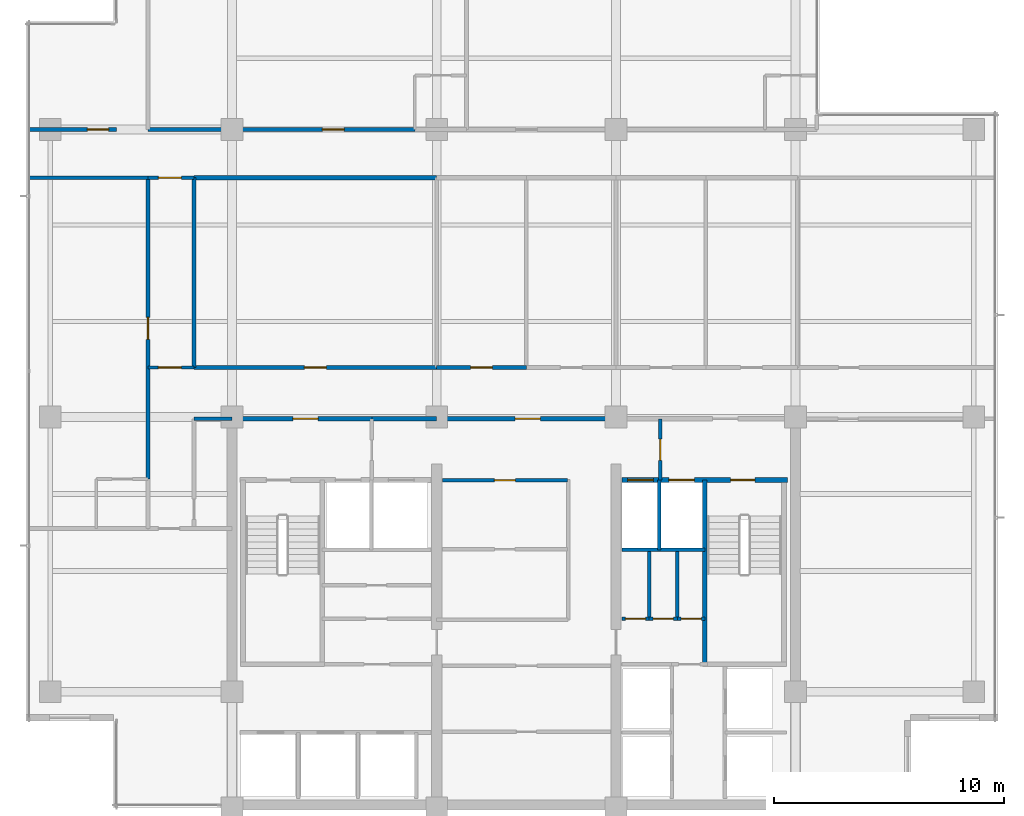
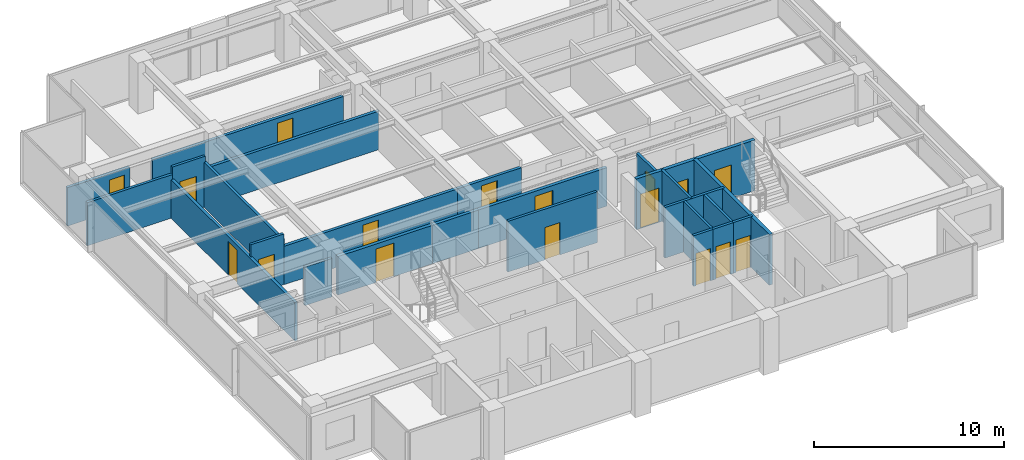
# One storey, part 8 of 14: 25 walls, 17 doors, 17 openings.
"""IFC4 building model written with IfcOpenShell, lengths in metres."""

from ifc_helpers import new_model, si_unit, direction, frame, frame_2d, origin, place, context, subcontext, project, spatial, rectangle, extrude, material, layer, layer_set, type_object, element, fill, save


model = new_model("IFC4")

# Units and contexts
model_context = context("Model", 3, precision=1e-05, world=origin(), true_north=direction((0.0, 1.0)))
body_context = subcontext(model_context, "Body", "Model", "MODEL_VIEW")
ifc_project = project(units=[si_unit("LENGTHUNIT", "METRE"), si_unit("AREAUNIT", "SQUARE_METRE"), si_unit("VOLUMEUNIT", "CUBIC_METRE"), si_unit("PLANEANGLEUNIT", "RADIAN"), si_unit("MASSUNIT", "GRAM", prefix="KILO")], contexts=[model_context])

# Site, building, storey
site_placement = place(None, origin())
site = spatial("IfcSite", under=ifc_project, at=site_placement, CompositionType="ELEMENT")
building_placement = place(site_placement, origin())
building = spatial("IfcBuilding", under=site, at=building_placement, Name="Qalmaran Belvedere Hotel", CompositionType="ELEMENT")
storey_placement = place(building_placement, frame((0.0, 0.0, 217.89990234375)))
storey = spatial("IfcBuildingStorey", under=building, at=storey_placement, Name="L55", CompositionType="ELEMENT", Elevation=217.89990234375)

# Walls
ifc_material_1 = material(Name="Gypsum Stud Partition")
ifc_layer_1 = layer(ifc_material_1, 0.14990234375, Name="Gypsum Stud Partition")
ifc_layer_set_1 = layer_set([ifc_layer_1], Name="Gypsum Stud Partition")
wall_type_1 = type_object("IfcWallType", Name="WL-INT-150-EI120", PredefinedType="PARTITIONING", material=ifc_layer_set_1)
wall_1_placement = place(storey_placement, frame((38.8798828125, 14.719970703125, 0.0), z_axis=(0.0, 0.0, 1.0), x_axis=(0.0, 1.0, 0.0)))
element("IfcWall", 1, at=wall_1_placement, inside=storey, type_object=wall_type_1, Name="L55 Partition WL-FF2M-L55", PredefinedType="PARTITIONING", context=body_context, shape_type="SweptSolid", body=[
    extrude(rectangle(XDim=3.0400390625, YDim=0.14990234375, at=frame_2d((1.52001953125, 0.0))), origin(), (0.0, 0.0, 1.0), 3.260009765625),
])
ifc_layer_2 = layer(ifc_material_1, 0.14990234375, Name="Gypsum Stud Partition")
ifc_layer_set_2 = layer_set([ifc_layer_2], Name="Gypsum Stud Partition")
wall_type_2 = type_object("IfcWallType", Name="WL-INT-150-EI60", PredefinedType="PARTITIONING", material=ifc_layer_set_2)
for number, where, z_axis, x_axis, name in (
    (2, (38.44140625, 11.719970703125, 0.0), (0.0, 0.0, 1.0), (0.0, 1.0, 0.0), "L55 Partition WL-L55-KEV1"),
    (3, (39.668701171875, 11.719970703125, 0.0), (0.0, 0.0, 1.0), (0.0, 1.0, 0.0), "L55 Partition WL-L55-KEV2"),
):
    element("IfcWall", number, at=place(storey_placement, frame(where, z_axis=z_axis, x_axis=x_axis)), inside=storey, type_object=wall_type_2, Name=name, PredefinedType="PARTITIONING", context=body_context, shape_type="SweptSolid", body=[
        extrude(rectangle(XDim=2.929931640625, YDim=0.14990234375, at=frame_2d((1.46484375, 0.0))), origin(), (0.0, 0.0, 1.0), 3.260009765625),
    ])

# Wall, opening, door
wall_2_placement = place(storey_placement, frame((16.64990234375, 22.64990234375, 0.0), z_axis=(0.0, 0.0, 1.0), x_axis=(1.0, 0.0, 0.0)))
wall_2 = element("IfcWall", 4, at=wall_2_placement, inside=storey, type_object=wall_type_2, Name="L55 Partition WL-L55-XCW1", PredefinedType="PARTITIONING", context=body_context, shape_type="SweptSolid", body=[
    extrude(rectangle(XDim=2.0, YDim=0.14990234375, at=frame_2d((1.0, 0.0))), origin(), (0.0, 0.0, 1.0), 3.260009765625),
])
opening_1_placement = place(wall_2_placement, frame((0.449951171875, 0.0, 0.0)))
opening_1 = element("IfcOpeningElement", 5, at=opening_1_placement, cuts=wall_2, Name="Opening FD90B", PredefinedType="OPENING", context=body_context, shape_type="SweptSolid", body=[
    extrude(rectangle(XDim=1.0, YDim=2.14990234375, at=frame_2d((0.5, 1.074951171875))), frame((0.0, 0.0849609375, 0.0), z_axis=(0.0, -1.0, 0.0), x_axis=(1.0, 0.0, 0.0)), (0.0, 0.0, 1.0), 0.169921875),
])
ifc_material_2 = material(Name="Steel S355JR", Category="steel")
door_type_1 = type_object("IfcDoorType", Name="DR-FD90B-1000X2150", OperationType="NOTDEFINED", PredefinedType="DOOR", material=ifc_material_2)
door_1_placement = place(opening_1_placement, origin())
door_1 = element("IfcDoor", 6, at=door_1_placement, inside=storey, type_object=door_type_1, Name="L55 West Corridor Smoke Door S", OperationType="SINGLE_SWING_RIGHT", OverallHeight=2.14990234375, OverallWidth=1.0, PredefinedType="DOOR", context=body_context, shape_type="SweptSolid", body=[
    extrude(rectangle(XDim=1.0, YDim=2.14990234375, at=frame_2d((0.5, 1.074951171875))), frame((0.0, 0.02490234375, 0.0), z_axis=(0.0, -1.0, 0.0), x_axis=(1.0, 0.0, 0.0)), (0.0, 0.0, 1.0), 0.050048828125),
])
fill(opening_1, door_1)

wall_3_placement = place(storey_placement, frame((16.64990234375, 30.89990234375, 0.0), z_axis=(0.0, 0.0, 1.0), x_axis=(1.0, 0.0, 0.0)))
wall_3 = element("IfcWall", 7, at=wall_3_placement, inside=storey, type_object=wall_type_2, Name="L55 Partition WL-L55-XCW2", PredefinedType="PARTITIONING", context=body_context, shape_type="SweptSolid", body=[
    extrude(rectangle(XDim=2.0, YDim=0.14990234375, at=frame_2d((1.0, 0.0))), origin(), (0.0, 0.0, 1.0), 3.260009765625),
])
opening_2_placement = place(wall_3_placement, frame((0.449951171875, 0.0, 0.0)))
opening_2 = element("IfcOpeningElement", 8, at=opening_2_placement, cuts=wall_3, Name="Opening FD90B", PredefinedType="OPENING", context=body_context, shape_type="SweptSolid", body=[
    extrude(rectangle(XDim=1.0, YDim=2.14990234375, at=frame_2d((0.5, 1.074951171875))), frame((0.0, 0.0849609375, 0.0), z_axis=(0.0, -1.0, 0.0), x_axis=(1.0, 0.0, 0.0)), (0.0, 0.0, 1.0), 0.169921875),
])
door_2_placement = place(opening_2_placement, origin())
door_2 = element("IfcDoor", 9, at=door_2_placement, inside=storey, type_object=door_type_1, Name="L55 West Corridor Smoke Door N", OperationType="SINGLE_SWING_LEFT", OverallHeight=2.14990234375, OverallWidth=1.0, PredefinedType="DOOR", context=body_context, shape_type="SweptSolid", body=[
    extrude(rectangle(XDim=1.0, YDim=2.14990234375, at=frame_2d((0.5, 1.074951171875))), frame((0.0, 0.02490234375, 0.0), z_axis=(0.0, -1.0, 0.0), x_axis=(1.0, 0.0, 0.0)), (0.0, 0.0, 1.0), 0.050048828125),
])
fill(opening_2, door_2)

ifc_layer_3 = layer(ifc_material_1, 0.159912109375, Name="Gypsum Stud Partition")
ifc_layer_set_3 = layer_set([ifc_layer_3], Name="Gypsum Stud Partition")
wall_type_3 = type_object("IfcWallType", Name="WL-INT-160-EI120", PredefinedType="PARTITIONING", material=ifc_layer_set_3)
wall_4_placement = place(storey_placement, frame((38.919921875, 17.760009765625, 0.0), z_axis=(0.0, 0.0, 1.0), x_axis=(0.0, 1.0, 0.0)))
wall_4 = element("IfcWall", 10, at=wall_4_placement, inside=storey, type_object=wall_type_3, Name="L55 Partition WL-FFSV2-L55", PredefinedType="PARTITIONING", context=body_context, shape_type="SweptSolid", body=[
    extrude(rectangle(XDim=2.659912109375, YDim=0.159912109375, at=frame_2d((1.330078125, 0.0))), origin(), (0.0, 0.0, 1.0), 2.7060546875),
])
opening_3_placement = place(wall_4_placement, frame((1.77001953125, 0.0, 0.0), z_axis=(0.0, 0.0, 1.0), x_axis=(-1.0, 0.0, 0.0)))
opening_3 = element("IfcOpeningElement", 11, at=opening_3_placement, cuts=wall_4, Name="Opening FD60S1", PredefinedType="OPENING", context=body_context, shape_type="SweptSolid", body=[
    extrude(rectangle(XDim=0.919921875, YDim=2.080078125, at=frame_2d((0.4599609375, 1.0400390625))), frame((0.0, 0.08984375, 0.0), z_axis=(0.0, -1.0, 0.0), x_axis=(1.0, 0.0, 0.0)), (0.0, 0.0, 1.0), 0.179931640625),
])
ifc_material_3 = material(Name="Engineered Oak Veneer")
door_type_2 = type_object("IfcDoorType", Name="DR-FD60S-920X2080", OperationType="NOTDEFINED", PredefinedType="DOOR", material=ifc_material_3)
door_3_placement = place(opening_3_placement, origin())
door_3 = element("IfcDoor", 12, at=door_3_placement, inside=storey, type_object=door_type_2, Name="L55 Service Lobby East Door", OperationType="SINGLE_SWING_LEFT", OverallHeight=2.080078125, OverallWidth=0.919921875, PredefinedType="DOOR", context=body_context, shape_type="SweptSolid", body=[
    extrude(rectangle(XDim=0.919921875, YDim=2.080078125, at=frame_2d((0.4599609375, 1.0400390625))), frame((0.0, 0.02490234375, 0.0), z_axis=(0.0, -1.0, 0.0), x_axis=(1.0, 0.0, 0.0)), (0.0, 0.0, 1.0), 0.050048828125),
])
fill(opening_3, door_3)

# Wall
wall_5_placement = place(storey_placement, frame((37.25, 14.719970703125, 0.0), z_axis=(0.0, 0.0, 1.0), x_axis=(1.0, 0.0, 0.0)))
element("IfcWall", 13, at=wall_5_placement, inside=storey, type_object=wall_type_3, Name="L55 Partition WL-FF2S-L55", PredefinedType="PARTITIONING", context=body_context, shape_type="SweptSolid", body=[
    extrude(rectangle(XDim=3.610107421875, YDim=0.159912109375, at=frame_2d((1.80517578125, 0.0))), origin(), (0.0, 0.0, 1.0), 3.260009765625),
])

# Wall, opening, door
ifc_layer_4 = layer(ifc_material_1, 0.159912109375, Name="Gypsum Stud Partition")
ifc_layer_set_4 = layer_set([ifc_layer_4], Name="Gypsum Stud Partition")
wall_type_4 = type_object("IfcWallType", Name="WL-INT-160-EI60", PredefinedType="PARTITIONING", material=ifc_layer_set_4)
wall_6_placement = place(storey_placement, frame((37.25, 11.719970703125, 0.0), z_axis=(0.0, 0.0, 1.0), x_axis=(1.0, 0.0, 0.0)))
wall_6 = element("IfcWall", 14, at=wall_6_placement, inside=storey, type_object=wall_type_4, Name="L55 Partition WL-L55-KEE1", PredefinedType="PARTITIONING", context=body_context, shape_type="SweptSolid", body=[
    extrude(rectangle(XDim=1.19140625, YDim=0.159912109375, at=frame_2d((0.595703125, 0.0))), origin(), (0.0, 0.0, 1.0), 3.260009765625),
])
opening_4_placement = place(wall_6_placement, frame((0.155517578125, 0.0, 0.0)))
opening_4 = element("IfcOpeningElement", 15, at=opening_4_placement, cuts=wall_6, Name="Opening FD60B", PredefinedType="OPENING", context=body_context, shape_type="SweptSolid", body=[
    extrude(rectangle(XDim=0.8798828125, YDim=2.080078125, at=frame_2d((0.43994140625, 1.0400390625))), frame((0.0, 0.08984375, 0.0), z_axis=(0.0, -1.0, 0.0), x_axis=(1.0, 0.0, 0.0)), (0.0, 0.0, 1.0), 0.179931640625),
])
door_type_3 = type_object("IfcDoorType", Name="DR-FD60B-880X2080", OperationType="NOTDEFINED", PredefinedType="DOOR", material=ifc_material_2)
door_4_placement = place(opening_4_placement, origin())
door_4 = element("IfcDoor", 16, at=door_4_placement, inside=storey, type_object=door_type_3, Name="L55 Hotel Linen Closet Door", OperationType="SINGLE_SWING_LEFT", OverallHeight=2.080078125, OverallWidth=0.8798828125, PredefinedType="DOOR", context=body_context, shape_type="SweptSolid", body=[
    extrude(rectangle(XDim=0.8798828125, YDim=2.080078125, at=frame_2d((0.43994140625, 1.0400390625))), frame((0.0, 0.02490234375, 0.0), z_axis=(0.0, -1.0, 0.0), x_axis=(1.0, 0.0, 0.0)), (0.0, 0.0, 1.0), 0.050048828125),
])
fill(opening_4, door_4)

wall_7_placement = place(storey_placement, frame((38.44140625, 11.719970703125, 0.0), z_axis=(0.0, 0.0, 1.0), x_axis=(1.0, 0.0, 0.0)))
wall_7 = element("IfcWall", 17, at=wall_7_placement, inside=storey, type_object=wall_type_4, Name="L55 Partition WL-L55-KEE2", PredefinedType="PARTITIONING", context=body_context, shape_type="SweptSolid", body=[
    extrude(rectangle(XDim=1.227294921875, YDim=0.159912109375, at=frame_2d((0.61376953125, 0.0))), origin(), (0.0, 0.0, 1.0), 3.260009765625),
])
opening_5_placement = place(wall_7_placement, frame((0.173583984375, 0.0, 0.0)))
opening_5 = element("IfcOpeningElement", 18, at=opening_5_placement, cuts=wall_7, Name="Opening FD60B", PredefinedType="OPENING", context=body_context, shape_type="SweptSolid", body=[
    extrude(rectangle(XDim=0.8798828125, YDim=2.080078125, at=frame_2d((0.43994140625, 1.0400390625))), frame((0.0, 0.08984375, 0.0), z_axis=(0.0, -1.0, 0.0), x_axis=(1.0, 0.0, 0.0)), (0.0, 0.0, 1.0), 0.179931640625),
])
door_5_placement = place(opening_5_placement, origin())
door_5 = element("IfcDoor", 19, at=door_5_placement, inside=storey, type_object=door_type_3, Name="L55 Guest Ice and Beverage Pantry Door", OperationType="SINGLE_SWING_RIGHT", OverallHeight=2.080078125, OverallWidth=0.8798828125, PredefinedType="DOOR", context=body_context, shape_type="SweptSolid", body=[
    extrude(rectangle(XDim=0.8798828125, YDim=2.080078125, at=frame_2d((0.43994140625, 1.0400390625))), frame((0.0, 0.02490234375, 0.0), z_axis=(0.0, -1.0, 0.0), x_axis=(1.0, 0.0, 0.0)), (0.0, 0.0, 1.0), 0.050048828125),
])
fill(opening_5, door_5)

wall_8_placement = place(storey_placement, frame((39.668701171875, 11.719970703125, 0.0), z_axis=(0.0, 0.0, 1.0), x_axis=(1.0, 0.0, 0.0)))
wall_8 = element("IfcWall", 20, at=wall_8_placement, inside=storey, type_object=wall_type_4, Name="L55 Partition WL-L55-KEE3", PredefinedType="PARTITIONING", context=body_context, shape_type="SweptSolid", body=[
    extrude(rectangle(XDim=1.19140625, YDim=0.159912109375, at=frame_2d((0.595703125, 0.0))), origin(), (0.0, 0.0, 1.0), 3.260009765625),
])
opening_6_placement = place(wall_8_placement, frame((0.155517578125, 0.0, 0.0)))
opening_6 = element("IfcOpeningElement", 21, at=opening_6_placement, cuts=wall_8, Name="Opening FD60B", PredefinedType="OPENING", context=body_context, shape_type="SweptSolid", body=[
    extrude(rectangle(XDim=0.8798828125, YDim=2.080078125, at=frame_2d((0.43994140625, 1.0400390625))), frame((0.0, 0.08984375, 0.0), z_axis=(0.0, -1.0, 0.0), x_axis=(1.0, 0.0, 0.0)), (0.0, 0.0, 1.0), 0.179931640625),
])
door_6_placement = place(opening_6_placement, origin())
door_6 = element("IfcDoor", 22, at=door_6_placement, inside=storey, type_object=door_type_3, Name="L55 Cleaner Equipment Store Door", OperationType="SINGLE_SWING_LEFT", OverallHeight=2.080078125, OverallWidth=0.8798828125, PredefinedType="DOOR", context=body_context, shape_type="SweptSolid", body=[
    extrude(rectangle(XDim=0.8798828125, YDim=2.080078125, at=frame_2d((0.43994140625, 1.0400390625))), frame((0.0, 0.02490234375, 0.0), z_axis=(0.0, -1.0, 0.0), x_axis=(1.0, 0.0, 0.0)), (0.0, 0.0, 1.0), 0.050048828125),
])
fill(opening_6, door_6)

wall_9_placement = place(storey_placement, frame((29.449951171875, 17.75, 0.0), z_axis=(0.0, 0.0, 1.0), x_axis=(1.0, 0.0, 0.0)))
wall_9 = element("IfcWall", 23, at=wall_9_placement, inside=storey, type_object=wall_type_4, Name="L55 Partition WL-L55-KPME1", PredefinedType="PARTITIONING", context=body_context, shape_type="SweptSolid", body=[
    extrude(rectangle(XDim=5.429931640625, YDim=0.159912109375, at=frame_2d((2.71484375, 0.0))), origin(), (0.0, 0.0, 1.0), 3.260009765625),
])
opening_7_placement = place(wall_9_placement, frame((3.1748046875, 0.0, 0.0), z_axis=(0.0, 0.0, 1.0), x_axis=(-1.0, 0.0, 0.0)))
opening_7 = element("IfcOpeningElement", 24, at=opening_7_placement, cuts=wall_9, Name="Opening FD60S1", PredefinedType="OPENING", context=body_context, shape_type="SweptSolid", body=[
    extrude(rectangle(XDim=0.919921875, YDim=2.080078125, at=frame_2d((0.4599609375, 1.0400390625))), frame((0.0, 0.08984375, 0.0), z_axis=(0.0, -1.0, 0.0), x_axis=(1.0, 0.0, 0.0)), (0.0, 0.0, 1.0), 0.179931640625),
])
door_7_placement = place(opening_7_placement, origin())
door_7 = element("IfcDoor", 25, at=door_7_placement, inside=storey, type_object=door_type_2, Name="L55 Core Tableware Store Door", OperationType="SINGLE_SWING_RIGHT", OverallHeight=2.080078125, OverallWidth=0.919921875, PredefinedType="DOOR", context=body_context, shape_type="SweptSolid", body=[
    extrude(rectangle(XDim=0.919921875, YDim=2.080078125, at=frame_2d((0.4599609375, 1.0400390625))), frame((0.0, 0.02490234375, 0.0), z_axis=(0.0, -1.0, 0.0), x_axis=(1.0, 0.0, 0.0)), (0.0, 0.0, 1.0), 0.050048828125),
])
fill(opening_7, door_7)

# Walls
wall_10_placement = place(storey_placement, frame((18.64990234375, 20.419921875, 0.0), z_axis=(0.0, 0.0, 1.0), x_axis=(1.0, 0.0, 0.0)))
element("IfcWall", 26, at=wall_10_placement, inside=storey, type_object=wall_type_4, Name="L55 Partition WL-L55-WCLN", PredefinedType="PARTITIONING", context=body_context, shape_type="SweptSolid", body=[
    extrude(rectangle(XDim=1.650146484375, YDim=0.159912109375, at=frame_2d((0.8251953125, 0.0))), origin(), (0.0, 0.0, 1.0), 2.47216796875),
])
wall_11_placement = place(storey_placement, frame((18.64990234375, 22.64990234375, 0.0), z_axis=(0.0, 0.0, 1.0), x_axis=(0.0, 1.0, 0.0)))
element("IfcWall", 27, at=wall_11_placement, inside=storey, type_object=wall_type_4, Name="L55 Partition WL-L55-MIDVL", PredefinedType="PARTITIONING", context=body_context, shape_type="SweptSolid", body=[
    extrude(rectangle(XDim=8.25, YDim=0.159912109375, at=frame_2d((4.125, 0.0))), origin(), (0.0, 0.0, 1.0), 2.88720703125),
])
wall_12_placement = place(storey_placement, frame((11.469970703125, 30.89990234375, 0.0), z_axis=(0.0, 0.0, 1.0), x_axis=(1.0, 0.0, 0.0)))
element("IfcWall", 28, at=wall_12_placement, inside=storey, type_object=wall_type_4, Name="L55 Partition WL-L55-WU00", PredefinedType="PARTITIONING", context=body_context, shape_type="SweptSolid", body=[
    extrude(rectangle(XDim=5.179931640625, YDim=0.159912109375, at=frame_2d((2.58984375, 0.0))), origin(), (0.0, 0.0, 1.0), 2.781982421875),
])

# Wall, opening, door
ifc_layer_5 = layer(ifc_material_1, 0.179931640625, Name="Gypsum Stud Partition")
ifc_layer_set_5 = layer_set([ifc_layer_5], Name="Gypsum Stud Partition")
wall_type_5 = type_object("IfcWallType", Name="WL-INT-180-EI60", PredefinedType="PARTITIONING", material=ifc_layer_set_5)
wall_13_placement = place(storey_placement, frame((18.64990234375, 22.64990234375, 0.0), z_axis=(0.0, 0.0, 1.0), x_axis=(1.0, 0.0, 0.0)))
wall_13 = element("IfcWall", 29, at=wall_13_placement, inside=storey, type_object=wall_type_5, Name="L55 Partition WL-L55-MIDD1", PredefinedType="PARTITIONING", context=body_context, shape_type="SweptSolid", body=[
    extrude(rectangle(XDim=10.550048828125, YDim=0.179931640625, at=frame_2d((5.27490234375, 0.0))), origin(), (0.0, 0.0, 1.0), 2.47216796875),
])
opening_8_placement = place(wall_13_placement, frame((4.800048828125, 0.0, 0.0)))
opening_8 = element("IfcOpeningElement", 30, at=opening_8_placement, cuts=wall_13, Name="Opening FD60", PredefinedType="OPENING", context=body_context, shape_type="SweptSolid", body=[
    extrude(rectangle(XDim=0.949951171875, YDim=2.14990234375, at=frame_2d((0.47509765625, 1.074951171875))), frame((0.0, 0.10009765625, 0.0), z_axis=(0.0, -1.0, 0.0), x_axis=(1.0, 0.0, 0.0)), (0.0, 0.0, 1.0), 0.199951171875),
])
door_type_4 = type_object("IfcDoorType", Name="DR-FD60-950X2150", OperationType="NOTDEFINED", PredefinedType="DOOR", material=ifc_material_3)
door_8_placement = place(opening_8_placement, origin())
door_8 = element("IfcDoor", 31, at=door_8_placement, inside=storey, type_object=door_type_4, Name="L55 Housekeeping and Linen Room Door", OperationType="SINGLE_SWING_RIGHT", OverallHeight=2.14990234375, OverallWidth=0.949951171875, PredefinedType="DOOR", context=body_context, shape_type="SweptSolid", body=[
    extrude(rectangle(XDim=0.949951171875, YDim=2.14990234375, at=frame_2d((0.47509765625, 1.074951171875))), frame((0.0, 0.02490234375, 0.0), z_axis=(0.0, -1.0, 0.0), x_axis=(1.0, 0.0, 0.0)), (0.0, 0.0, 1.0), 0.050048828125),
])
fill(opening_8, door_8)

# Wall
wall_14_placement = place(storey_placement, frame((18.64990234375, 30.89990234375, 0.0), z_axis=(0.0, 0.0, 1.0), x_axis=(1.0, 0.0, 0.0)))
element("IfcWall", 32, at=wall_14_placement, inside=storey, type_object=wall_type_5, Name="L55 Partition WL-L55-MIDO1", PredefinedType="PARTITIONING", context=body_context, shape_type="SweptSolid", body=[
    extrude(rectangle(XDim=10.550048828125, YDim=0.179931640625, at=frame_2d((5.27490234375, 0.0))), origin(), (0.0, 0.0, 1.0), 2.47216796875),
])

# Wall, opening, door
wall_15_placement = place(storey_placement, frame((29.199951171875, 22.64990234375, 0.0), z_axis=(0.0, 0.0, 1.0), x_axis=(1.0, 0.0, 0.0)))
wall_15 = element("IfcWall", 33, at=wall_15_placement, inside=storey, type_object=wall_type_5, Name="L55 Partition WL-L55-MIDD2", PredefinedType="PARTITIONING", context=body_context, shape_type="SweptSolid", body=[
    extrude(rectangle(XDim=3.900146484375, YDim=0.179931640625, at=frame_2d((1.9501953125, 0.0))), origin(), (0.0, 0.0, 1.0), 2.47216796875),
])
opening_9_placement = place(wall_15_placement, frame((1.47509765625, 0.0, 0.0)))
opening_9 = element("IfcOpeningElement", 34, at=opening_9_placement, cuts=wall_15, Name="Opening FD60", PredefinedType="OPENING", context=body_context, shape_type="SweptSolid", body=[
    extrude(rectangle(XDim=0.949951171875, YDim=2.14990234375, at=frame_2d((0.47509765625, 1.074951171875))), frame((0.0, 0.10009765625, 0.0), z_axis=(0.0, -1.0, 0.0), x_axis=(1.0, 0.0, 0.0)), (0.0, 0.0, 1.0), 0.199951171875),
])
door_9_placement = place(opening_9_placement, origin())
door_9 = element("IfcDoor", 35, at=door_9_placement, inside=storey, type_object=door_type_4, Name="L55 Drawing Lounge Door", OperationType="SINGLE_SWING_LEFT", OverallHeight=2.14990234375, OverallWidth=0.949951171875, PredefinedType="DOOR", context=body_context, shape_type="SweptSolid", body=[
    extrude(rectangle(XDim=0.949951171875, YDim=2.14990234375, at=frame_2d((0.47509765625, 1.074951171875))), frame((0.0, 0.02490234375, 0.0), z_axis=(0.0, -1.0, 0.0), x_axis=(1.0, 0.0, 0.0)), (0.0, 0.0, 1.0), 0.050048828125),
])
fill(opening_9, door_9)

wall_16_placement = place(storey_placement, frame((16.64990234375, 33.0, 0.0), z_axis=(0.0, 0.0, 1.0), x_axis=(1.0, 0.0, 0.0)))
wall_16 = element("IfcWall", 36, at=wall_16_placement, inside=storey, type_object=wall_type_5, Name="L55 Partition WL-L55-NEC00", PredefinedType="PARTITIONING", context=body_context, shape_type="SweptSolid", body=[
    extrude(rectangle(XDim=11.60009765625, YDim=0.179931640625, at=frame_2d((5.800048828125, 0.0))), origin(), (0.0, 0.0, 1.0), 2.47216796875),
])
opening_10_placement = place(wall_16_placement, frame((7.580810546875, 0.0, 0.0)))
opening_10 = element("IfcOpeningElement", 37, at=opening_10_placement, cuts=wall_16, Name="Opening FD60", PredefinedType="OPENING", context=body_context, shape_type="SweptSolid", body=[
    extrude(rectangle(XDim=0.949951171875, YDim=2.14990234375, at=frame_2d((0.47509765625, 1.074951171875))), frame((0.0, 0.10009765625, 0.0), z_axis=(0.0, -1.0, 0.0), x_axis=(1.0, 0.0, 0.0)), (0.0, 0.0, 1.0), 0.199951171875),
])
door_10_placement = place(opening_10_placement, origin())
door_10 = element("IfcDoor", 38, at=door_10_placement, inside=storey, type_object=door_type_4, Name="L55 Guest Entrance Door N01", OperationType="SINGLE_SWING_RIGHT", OverallHeight=2.14990234375, OverallWidth=0.949951171875, PredefinedType="DOOR", context=body_context, shape_type="SweptSolid", body=[
    extrude(rectangle(XDim=0.949951171875, YDim=2.14990234375, at=frame_2d((0.47509765625, 1.074951171875))), frame((0.0, 0.02490234375, 0.0), z_axis=(0.0, -1.0, 0.0), x_axis=(1.0, 0.0, 0.0)), (0.0, 0.0, 1.0), 0.050048828125),
])
fill(opening_10, door_10)

wall_17_placement = place(storey_placement, frame((16.64990234375, 17.800048828125, 0.0), z_axis=(0.0, 0.0, 1.0), x_axis=(0.0, 1.0, 0.0)))
wall_17 = element("IfcWall", 39, at=wall_17_placement, inside=storey, type_object=wall_type_5, Name="L55 Partition WL-L55-WEC00", PredefinedType="PARTITIONING", context=body_context, shape_type="SweptSolid", body=[
    extrude(rectangle(XDim=13.099853515625, YDim=0.179931640625, at=frame_2d((6.5498046875, 0.0))), origin(), (0.0, 0.0, 1.0), 2.47216796875),
])
opening_11_placement = place(wall_17_placement, frame((6.074951171875, 0.0, 0.0)))
opening_11 = element("IfcOpeningElement", 40, at=opening_11_placement, cuts=wall_17, Name="Opening FD60", PredefinedType="OPENING", context=body_context, shape_type="SweptSolid", body=[
    extrude(rectangle(XDim=0.949951171875, YDim=2.14990234375, at=frame_2d((0.47509765625, 1.074951171875))), frame((0.0, 0.10009765625, 0.0), z_axis=(0.0, -1.0, 0.0), x_axis=(1.0, 0.0, 0.0)), (0.0, 0.0, 1.0), 0.199951171875),
])
door_11_placement = place(opening_11_placement, origin())
door_11 = element("IfcDoor", 41, at=door_11_placement, inside=storey, type_object=door_type_4, Name="L55 W Wing Door 01", OperationType="SINGLE_SWING_RIGHT", OverallHeight=2.14990234375, OverallWidth=0.949951171875, PredefinedType="DOOR", context=body_context, shape_type="SweptSolid", body=[
    extrude(rectangle(XDim=0.949951171875, YDim=2.14990234375, at=frame_2d((0.47509765625, 1.074951171875))), frame((0.0, 0.02490234375, 0.0), z_axis=(0.0, -1.0, 0.0), x_axis=(1.0, 0.0, 0.0)), (0.0, 0.0, 1.0), 0.050048828125),
])
fill(opening_11, door_11)

wall_18_placement = place(storey_placement, frame((11.469970703125, 33.0, 0.0), z_axis=(0.0, 0.0, 1.0), x_axis=(1.0, 0.0, 0.0)))
wall_18 = element("IfcWall", 42, at=wall_18_placement, inside=storey, type_object=wall_type_5, Name="L55 Partition WL-L55-NWSD", PredefinedType="PARTITIONING", context=body_context, shape_type="SweptSolid", body=[
    extrude(rectangle(XDim=3.800048828125, YDim=0.179931640625, at=frame_2d((1.89990234375, 0.0))), origin(), (0.0, 0.0, 1.0), 2.47216796875),
])
opening_12_placement = place(wall_18_placement, frame((2.543701171875, 0.0, 0.0)))
opening_12 = element("IfcOpeningElement", 43, at=opening_12_placement, cuts=wall_18, Name="Opening FD60S1", PredefinedType="OPENING", context=body_context, shape_type="SweptSolid", body=[
    extrude(rectangle(XDim=0.919921875, YDim=2.080078125, at=frame_2d((0.4599609375, 1.0400390625))), frame((0.0, 0.10009765625, 0.0), z_axis=(0.0, -1.0, 0.0), x_axis=(1.0, 0.0, 0.0)), (0.0, 0.0, 1.0), 0.199951171875),
])
door_12_placement = place(opening_12_placement, origin())
door_12 = element("IfcDoor", 44, at=door_12_placement, inside=storey, type_object=door_type_2, Name="L55 NW Belvedere Study Door", OperationType="SINGLE_SWING_LEFT", OverallHeight=2.080078125, OverallWidth=0.919921875, PredefinedType="DOOR", context=body_context, shape_type="SweptSolid", body=[
    extrude(rectangle(XDim=0.919921875, YDim=2.080078125, at=frame_2d((0.4599609375, 1.0400390625))), frame((0.0, 0.02490234375, 0.0), z_axis=(0.0, -1.0, 0.0), x_axis=(1.0, 0.0, 0.0)), (0.0, 0.0, 1.0), 0.050048828125),
])
fill(opening_12, door_12)

ifc_material_4 = material(Name="Concrete C30/37 Blockwork", Category="masonry")
ifc_layer_6 = layer(ifc_material_4, 0.199951171875, Name="Concrete C30/37 Blockwork")
ifc_layer_set_6 = layer_set([ifc_layer_6], Name="Concrete C30/37 Blockwork")
wall_type_6 = type_object("IfcWallType", Name="WL-INT-200-EI120", PredefinedType="PARTITIONING", material=ifc_layer_set_6)
wall_19_placement = place(storey_placement, frame((20.64990234375, 20.419921875, 0.0), z_axis=(0.0, 0.0, 1.0), x_axis=(1.0, 0.0, 0.0)))
wall_19 = element("IfcWall", 45, at=wall_19_placement, inside=storey, type_object=wall_type_6, Name="L55 Partition WL-CN1A-L55", PredefinedType="PARTITIONING", context=body_context, shape_type="SweptSolid", body=[
    extrude(rectangle(XDim=5.72998046875, YDim=0.199951171875, at=frame_2d((2.864990234375, 0.0))), origin(), (0.0, 0.0, 1.0), 2.47216796875),
])
opening_13_placement = place(wall_19_placement, frame((2.300048828125, 0.0, 0.0)))
opening_13 = element("IfcOpeningElement", 46, at=opening_13_placement, cuts=wall_19, Name="Opening FD90", PredefinedType="OPENING", context=body_context, shape_type="SweptSolid", body=[
    extrude(rectangle(XDim=1.10009765625, YDim=2.14990234375, at=frame_2d((0.550048828125, 1.074951171875))), frame((0.0, 0.10986328125, 0.0), z_axis=(0.0, -1.0, 0.0), x_axis=(1.0, 0.0, 0.0)), (0.0, 0.0, 1.0), 0.219970703125),
])
door_type_5 = type_object("IfcDoorType", Name="DR-FD90-1100X2150", OperationType="NOTDEFINED", PredefinedType="DOOR", material=ifc_material_2)
door_13_placement = place(opening_13_placement, origin())
door_13 = element("IfcDoor", 47, at=door_13_placement, inside=storey, type_object=door_type_5, Name="L55 FF1 Lobby Corridor Door", OperationType="SINGLE_SWING_RIGHT", OverallHeight=2.14990234375, OverallWidth=1.10009765625, PredefinedType="DOOR", context=body_context, shape_type="SweptSolid", body=[
    extrude(rectangle(XDim=1.10009765625, YDim=2.14990234375, at=frame_2d((0.550048828125, 1.074951171875))), frame((0.0, 0.02490234375, 0.0), z_axis=(0.0, -1.0, 0.0), x_axis=(1.0, 0.0, 0.0)), (0.0, 0.0, 1.0), 0.050048828125),
])
fill(opening_13, door_13)

# Wall
wall_20_placement = place(storey_placement, frame((26.3798828125, 20.419921875, 0.0), z_axis=(0.0, 0.0, 1.0), x_axis=(1.0, 0.0, 0.0)))
element("IfcWall", 48, at=wall_20_placement, inside=storey, type_object=wall_type_6, Name="L55 Partition WL-CN1B-L55", PredefinedType="PARTITIONING", context=body_context, shape_type="SweptSolid", body=[
    extrude(rectangle(XDim=2.820068359375, YDim=0.199951171875, at=frame_2d((1.41015625, 0.0))), origin(), (0.0, 0.0, 1.0), 2.47216796875),
])

# Wall, opening, door
wall_21_placement = place(storey_placement, frame((29.199951171875, 20.419921875, 0.0), z_axis=(0.0, 0.0, 1.0), x_axis=(1.0, 0.0, 0.0)))
wall_21 = element("IfcWall", 49, at=wall_21_placement, inside=storey, type_object=wall_type_6, Name="L55 Partition WL-CN2-L55", PredefinedType="PARTITIONING", context=body_context, shape_type="SweptSolid", body=[
    extrude(rectangle(XDim=7.800048828125, YDim=0.199951171875, at=frame_2d((3.89990234375, 0.0))), origin(), (0.0, 0.0, 1.0), 2.47216796875),
])
opening_14_placement = place(wall_21_placement, frame((3.4091796875, 0.0, 0.0)))
opening_14 = element("IfcOpeningElement", 50, at=opening_14_placement, cuts=wall_21, Name="Opening FD90", PredefinedType="OPENING", context=body_context, shape_type="SweptSolid", body=[
    extrude(rectangle(XDim=1.10009765625, YDim=2.14990234375, at=frame_2d((0.550048828125, 1.074951171875))), frame((0.0, 0.10986328125, 0.0), z_axis=(0.0, -1.0, 0.0), x_axis=(1.0, 0.0, 0.0)), (0.0, 0.0, 1.0), 0.219970703125),
])
door_14_placement = place(opening_14_placement, origin())
door_14 = element("IfcDoor", 51, at=door_14_placement, inside=storey, type_object=door_type_5, Name="L55 Central Lift Lobby Door", OperationType="SINGLE_SWING_LEFT", OverallHeight=2.14990234375, OverallWidth=1.10009765625, PredefinedType="DOOR", context=body_context, shape_type="SweptSolid", body=[
    extrude(rectangle(XDim=1.10009765625, YDim=2.14990234375, at=frame_2d((0.550048828125, 1.074951171875))), frame((0.0, 0.02490234375, 0.0), z_axis=(0.0, -1.0, 0.0), x_axis=(1.0, 0.0, 0.0)), (0.0, 0.0, 1.0), 0.050048828125),
])
fill(opening_14, door_14)

# Wall
ifc_material_5 = material(Name="Concrete C50/60", Category="concrete")
ifc_layer_7 = layer(ifc_material_5, 0.2099609375, Name="Concrete C50/60")
ifc_layer_set_7 = layer_set([ifc_layer_7], Name="Concrete C50/60")
wall_type_7 = type_object("IfcWallType", Name="WL-STAIR-210-C50", PredefinedType="SHEAR", material=ifc_layer_set_7)
wall_22_placement = place(storey_placement, frame((40.85498046875, 9.7451171875, 0.0), z_axis=(0.0, 0.0, 1.0), x_axis=(0.0, 1.0, 0.0)))
element("IfcWall", 52, at=wall_22_placement, inside=storey, type_object=wall_type_7, Name="L55 Stair ST-2 West Bearing Wall", PredefinedType="SHEAR", context=body_context, shape_type="SweptSolid", body=[
    extrude(rectangle(XDim=8.009765625, YDim=0.2099609375, at=frame_2d((4.0048828125, 0.0))), origin(), (0.0, 0.0, 1.0), 3.260009765625),
])

# Wall, openings, doors
wall_23_placement = place(storey_placement, frame((37.25, 17.7548828125, 0.0), z_axis=(0.0, 0.0, 1.0), x_axis=(1.0, 0.0, 0.0)))
wall_23 = element("IfcWall", 53, at=wall_23_placement, inside=storey, type_object=wall_type_7, Name="L55 East Lobby and Stair ST-2 North Bearing Wall", PredefinedType="SHEAR", context=body_context, shape_type="SweptSolid", body=[
    extrude(rectangle(XDim=7.199951171875, YDim=0.2099609375, at=frame_2d((3.60009765625, 0.0))), origin(), (0.0, 0.0, 1.0), 3.260009765625),
])
opening_15_placement = place(wall_23_placement, frame((0.25, 0.0, 0.0)))
opening_15 = element("IfcOpeningElement", 54, at=opening_15_placement, cuts=wall_23, Name="Opening LD-SV", PredefinedType="OPENING", context=body_context, shape_type="SweptSolid", body=[
    extrude(rectangle(XDim=1.1201171875, YDim=2.199951171875, at=frame_2d((0.56005859375, 1.10009765625))), frame((0.0, 0.114990234375, 0.0), z_axis=(0.0, -1.0, 0.0), x_axis=(1.0, 0.0, 0.0)), (0.0, 0.0, 1.0), 0.22998046875),
])
opening_16_placement = place(wall_23_placement, frame((2.050048828125, 0.0, 0.0)))
opening_16 = element("IfcOpeningElement", 55, at=opening_16_placement, cuts=wall_23, Name="Opening LD-FF", PredefinedType="OPENING", context=body_context, shape_type="SweptSolid", body=[
    extrude(rectangle(XDim=1.10009765625, YDim=2.179931640625, at=frame_2d((0.550048828125, 1.08984375))), frame((0.0, 0.114990234375, 0.0), z_axis=(0.0, -1.0, 0.0), x_axis=(1.0, 0.0, 0.0)), (0.0, 0.0, 1.0), 0.22998046875),
])
opening_17_placement = place(wall_23_placement, frame((5.780029296875, 0.0, 0.0), z_axis=(0.0, 0.0, 1.0), x_axis=(-1.0, 0.0, 0.0)))
opening_17 = element("IfcOpeningElement", 56, at=opening_17_placement, cuts=wall_23, Name="Opening FD90S2", PredefinedType="OPENING", context=body_context, shape_type="SweptSolid", body=[
    extrude(rectangle(XDim=1.050048828125, YDim=2.14990234375, at=frame_2d((0.52490234375, 1.074951171875))), frame((0.0, 0.114990234375, 0.0), z_axis=(0.0, -1.0, 0.0), x_axis=(1.0, 0.0, 0.0)), (0.0, 0.0, 1.0), 0.22998046875),
])
door_type_6 = type_object("IfcDoorType", Name="DR-FD90S-1050X2150", OperationType="NOTDEFINED", PredefinedType="DOOR", material=ifc_material_2)
door_15_placement = place(opening_17_placement, origin())
door_15 = element("IfcDoor", 57, at=door_15_placement, inside=storey, type_object=door_type_6, Name="L55 Stair ST-2 Door", OperationType="SINGLE_SWING_LEFT", OverallHeight=2.14990234375, OverallWidth=1.050048828125, PredefinedType="DOOR", context=body_context, shape_type="SweptSolid", body=[
    extrude(rectangle(XDim=1.050048828125, YDim=2.14990234375, at=frame_2d((0.52490234375, 1.074951171875))), frame((0.0, 0.02490234375, 0.0), z_axis=(0.0, -1.0, 0.0), x_axis=(1.0, 0.0, 0.0)), (0.0, 0.0, 1.0), 0.050048828125),
])
fill(opening_17, door_15)
ifc_material_6 = material(Name="Stainless Steel 1.4401", Category="steel")
door_type_7 = type_object("IfcDoorType", Name="DR-LIFT-FF-1100X2180", OperationType="DOUBLE_DOOR_SLIDING", PredefinedType="DOOR", material=ifc_material_6)
door_16_placement = place(opening_16_placement, origin())
door_16 = element("IfcDoor", 58, at=door_16_placement, inside=storey, type_object=door_type_7, Name="L55 FF2 Lift Landing Door", OperationType="DOUBLE_DOOR_SLIDING", OverallHeight=2.179931640625, OverallWidth=1.10009765625, PredefinedType="DOOR", context=body_context, shape_type="SweptSolid", body=[
    extrude(rectangle(XDim=1.10009765625, YDim=2.179931640625, at=frame_2d((0.550048828125, 1.08984375))), frame((0.0, 0.02490234375, 0.0), z_axis=(0.0, -1.0, 0.0), x_axis=(1.0, 0.0, 0.0)), (0.0, 0.0, 1.0), 0.050048828125),
])
fill(opening_16, door_16)
door_type_8 = type_object("IfcDoorType", Name="DR-LIFT-SV-1120X2200", OperationType="DOUBLE_DOOR_SLIDING", PredefinedType="DOOR", material=ifc_material_6)
door_17_placement = place(opening_15_placement, origin())
door_17 = element("IfcDoor", 59, at=door_17_placement, inside=storey, type_object=door_type_8, Name="L55 SV2 Lift Landing Door", OperationType="DOUBLE_DOOR_SLIDING", OverallHeight=2.199951171875, OverallWidth=1.1201171875, PredefinedType="DOOR", context=body_context, shape_type="SweptSolid", body=[
    extrude(rectangle(XDim=1.1201171875, YDim=2.199951171875, at=frame_2d((0.56005859375, 1.10009765625))), frame((0.0, 0.02490234375, 0.0), z_axis=(0.0, -1.0, 0.0), x_axis=(1.0, 0.0, 0.0)), (0.0, 0.0, 1.0), 0.050048828125),
])
fill(opening_15, door_17)

save(model, "model.ifc")
